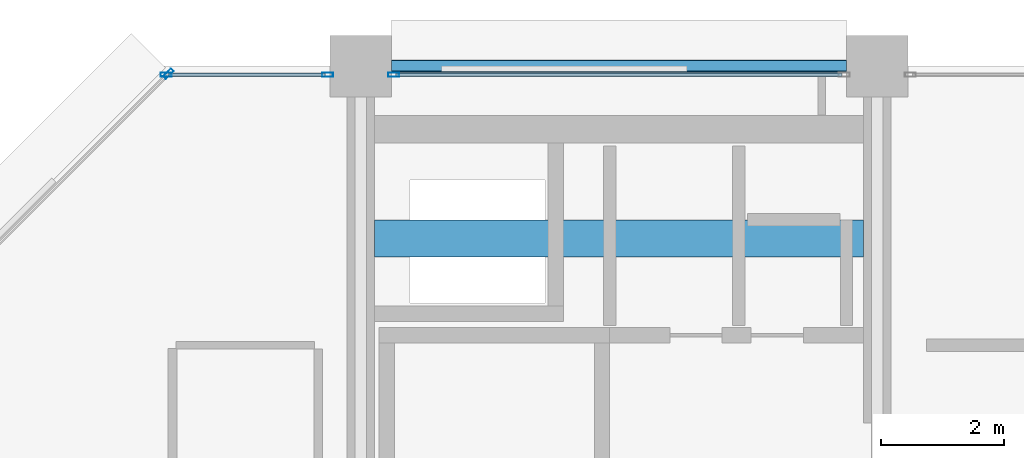
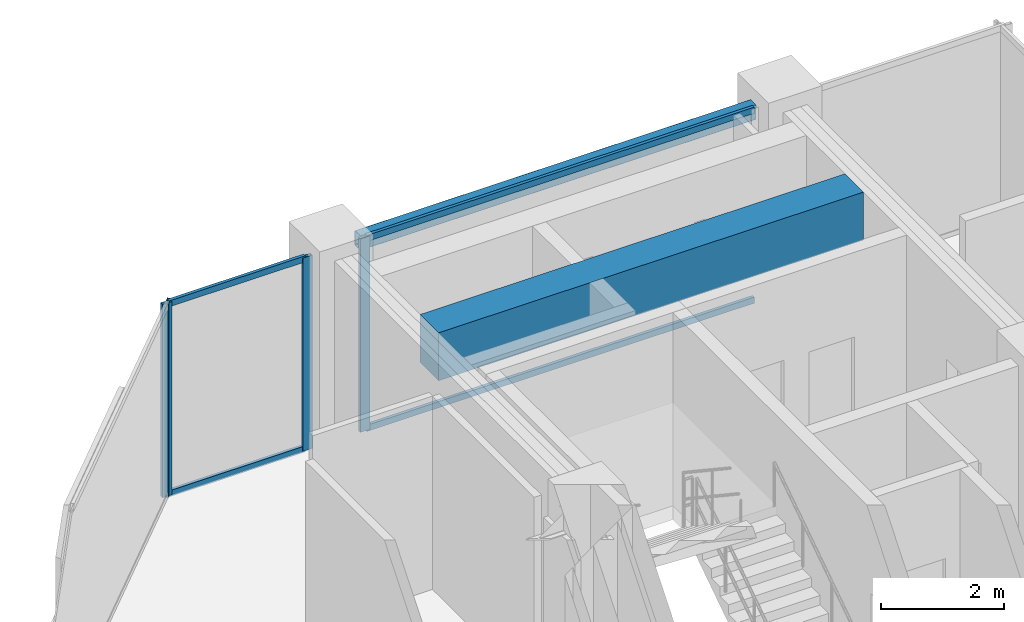
# One storey, part 17 of 26: 8 members, 2 beams, 3 elements without a shape of their own.
"""IFC4 building model written with IfcOpenShell, lengths in metres."""

from ifc_helpers import new_model, si_unit, direction, frame, origin, origin_2d, place, context, subcontext, project, spatial, rectangle, hollow_rectangle, extrude, material, layer, layer_set, material_profile, profile_set, type_object, element, aggregate, save


model = new_model("IFC4")

# Units and contexts
model_context = context("Model", 3, precision=1e-05, world=origin(), true_north=direction((0.0, 1.0)))
body_context = subcontext(model_context, "Body", "Model", "MODEL_VIEW")
ifc_project = project(units=[si_unit("LENGTHUNIT", "METRE"), si_unit("AREAUNIT", "SQUARE_METRE"), si_unit("VOLUMEUNIT", "CUBIC_METRE"), si_unit("PLANEANGLEUNIT", "RADIAN"), si_unit("MASSUNIT", "GRAM", prefix="KILO")], contexts=[model_context])

# Site, building, storey
site_placement = place(None, origin())
site = spatial("IfcSite", under=ifc_project, at=site_placement, CompositionType="ELEMENT")
building_placement = place(site_placement, origin())
building = spatial("IfcBuilding", under=site, at=building_placement, Name="Nerrivon Quay Data Exchange", CompositionType="ELEMENT")
storey_placement = place(building_placement, frame((0.0, 0.0, 228.800048828125)))
storey = spatial("IfcBuildingStorey", under=building, at=storey_placement, Name="L54", CompositionType="ELEMENT", Elevation=228.800048828125)

# Beams
ifc_material_1 = material(Name="Concrete N50 (50 MPa)", Category="concrete")
ifc_material_profile_1 = material_profile(ifc_material_1, rectangle(XDim=0.60009765625, YDim=0.949951171875, at=origin_2d()), Name="RC-CB-600x950")
ifc_profile_set_1 = profile_set([ifc_material_profile_1], Name="Concrete N50 (50 MPa)")
beam_type_1 = type_object("IfcBeamType", Name="BM-CB2-600x950", PredefinedType="LINTEL", material=ifc_profile_set_1)
beam_1_placement = place(storey_placement, frame((8.625, 39.199951171875, 3.349853515625), z_axis=(1.0, 0.0, 0.0), x_axis=(0.0, 1.0, 0.0)))
element("IfcBeam", 1, at=beam_1_placement, inside=storey, type_object=beam_type_1, Name="L54 West Core Coupling Beam", PredefinedType="LINTEL", context=body_context, shape_type="SweptSolid", body=[
    extrude(rectangle(XDim=0.60009765625, YDim=0.949951171875, at=origin_2d()), origin(), (0.0, 0.0, 1.0), 7.949951171875),
])
ifc_material_2 = material(Name="Steel Grade C350L0 (350 MPa)", Category="steel")
ifc_material_profile_2 = material_profile(ifc_material_2, hollow_rectangle(XDim=0.199951171875, YDim=0.300048828125, WallThickness=0.012451171875, InnerFilletRadius=0.018798828125, OuterFilletRadius=0.03125, at=origin_2d()), Name="300x200x12.5RHS")
ifc_profile_set_2 = profile_set([ifc_material_profile_2], Name="Steel Grade C350L0 (350 MPa)")
beam_type_2 = type_object("IfcBeamType", Name="BM-SP3-300x200RHS", PredefinedType="SPANDREL", material=ifc_profile_set_2)
beam_2_placement = place(storey_placement, frame((8.89990234375, 42.0, 3.675048828125), z_axis=(1.0, 0.0, 0.0), x_axis=(0.0, 1.0, 0.0)))
element("IfcBeam", 2, at=beam_2_placement, inside=storey, type_object=beam_type_2, Name="L54 EW Girder Y=42.0 (8.4..16.8)", PredefinedType="SPANDREL", context=body_context, shape_type="SweptSolid", body=[
    extrude(hollow_rectangle(XDim=0.199951171875, YDim=0.300048828125, WallThickness=0.012451171875, InnerFilletRadius=0.018798828125, OuterFilletRadius=0.03125, at=origin_2d()), origin(), (0.0, 0.0, 1.0), 7.400146484375),
])

# Curtain wall, member
ifc_material_3 = material(Name="Anodised aluminium 6063-T6", Category="aluminium")
ifc_layer = layer(ifc_material_3, 0.195068359375)
ifc_layer_set = layer_set([ifc_layer], Name="Anodised aluminium 6063-T6")
curtain_wall_type = type_object("IfcCurtainWallType", Name="CW-SYS-06", PredefinedType="NOTDEFINED", material=ifc_layer_set)
curtain_wall_1_placement = place(storey_placement, origin())
curtain_wall_1 = element("IfcCurtainWall", 3, at=curtain_wall_1_placement, inside=storey, type_object=curtain_wall_type, Name="L54 Unitised Curtain Wall 16", PredefinedType="NOTDEFINED")
ifc_material_profile_3 = material_profile(ifc_material_3, hollow_rectangle(XDim=0.06494140625, YDim=0.179931640625, WallThickness=0.00341796875, at=origin_2d()), Name="ALU-MULL-180x65")
ifc_profile_set_3 = profile_set([ifc_material_profile_3], Name="Anodised aluminium 6063-T6")
member_type_1 = type_object("IfcMemberType", Name="CWM-180x65", PredefinedType="MULLION", material=ifc_profile_set_3)
member_1_placement = place(storey_placement, frame((5.2724609375, 41.87451171875, 0.0), z_axis=(0.0, 0.0, 1.0), x_axis=(-0.707106781187, 0.707106781187, 0.0)))
member_1 = element("IfcMember", 4, at=member_1_placement, type_object=member_type_1, Name="CW06 mullion 2", PredefinedType="MULLION", context=body_context, shape_type="SweptSolid", body=[
    extrude(hollow_rectangle(XDim=0.06494140625, YDim=0.179931640625, WallThickness=0.00341796875, at=origin_2d()), origin(), (0.0, 0.0, 1.0), 3.824951171875),
])
aggregate(curtain_wall_1, [member_1])

# Curtain wall, members
curtain_wall_2_placement = place(storey_placement, origin())
curtain_wall_2 = element("IfcCurtainWall", 5, at=curtain_wall_2_placement, inside=storey, type_object=curtain_wall_type, Name="L54 Unitised Curtain Wall 17", PredefinedType="NOTDEFINED")
member_2_placement = place(storey_placement, frame((5.237548828125, 41.860107421875, 0.0), z_axis=(0.0, 0.0, 1.0), x_axis=(0.0, 1.0, 0.0)))
member_2 = element("IfcMember", 6, at=member_2_placement, type_object=member_type_1, Name="CW06 mullion 1", PredefinedType="MULLION", context=body_context, shape_type="SweptSolid", body=[
    extrude(hollow_rectangle(XDim=0.06494140625, YDim=0.179931640625, WallThickness=0.00341796875, at=origin_2d()), origin(), (0.0, 0.0, 1.0), 3.824951171875),
])
member_3_placement = place(storey_placement, frame((7.862548828125, 41.860107421875, 0.0), z_axis=(0.0, 0.0, 1.0), x_axis=(0.0, 1.0, 0.0)))
member_3 = element("IfcMember", 7, at=member_3_placement, type_object=member_type_1, Name="CW06 mullion 2", PredefinedType="MULLION", context=body_context, shape_type="SweptSolid", body=[
    extrude(hollow_rectangle(XDim=0.06494140625, YDim=0.179931640625, WallThickness=0.00341796875, at=origin_2d()), origin(), (0.0, 0.0, 1.0), 3.824951171875),
])

# Curtain wall, member
curtain_wall_3_placement = place(storey_placement, origin())
curtain_wall_3 = element("IfcCurtainWall", 8, at=curtain_wall_3_placement, inside=storey, type_object=curtain_wall_type, Name="L54 Unitised Curtain Wall 18", PredefinedType="NOTDEFINED")
member_4_placement = place(storey_placement, frame((8.9375, 41.860107421875, 0.0), z_axis=(0.0, 0.0, 1.0), x_axis=(0.0, 1.0, 0.0)))
member_4 = element("IfcMember", 9, at=member_4_placement, type_object=member_type_1, Name="CW06 mullion 1", PredefinedType="MULLION", context=body_context, shape_type="SweptSolid", body=[
    extrude(hollow_rectangle(XDim=0.06494140625, YDim=0.179931640625, WallThickness=0.00341796875, at=origin_2d()), origin(), (0.0, 0.0, 1.0), 3.824951171875),
])

# Member
ifc_material_profile_4 = material_profile(ifc_material_3, hollow_rectangle(XDim=0.06005859375, YDim=0.1201171875, WallThickness=0.003173828125, at=origin_2d()), Name="ALU-TRAN-120x60")
ifc_profile_set_4 = profile_set([ifc_material_profile_4], Name="Anodised aluminium 6063-T6")
member_type_2 = type_object("IfcMemberType", Name="CWT-120x60", PredefinedType="USERDEFINED", material=ifc_profile_set_4)
member_5_placement = place(storey_placement, frame((5.27490234375, 41.860107421875, 0.032470703125), z_axis=(1.0, 0.0, 0.0), x_axis=(0.0, 1.0, 0.0)))
member_5 = element("IfcMember", 10, at=member_5_placement, type_object=member_type_2, Name="CW06 transom 1.1", ObjectType="TRANSOM", PredefinedType="USERDEFINED", context=body_context, shape_type="SweptSolid", body=[
    extrude(hollow_rectangle(XDim=0.06005859375, YDim=0.1201171875, WallThickness=0.003173828125, at=origin_2d()), origin(), (0.0, 0.0, 1.0), 2.550048828125),
])

member_6_placement = place(storey_placement, frame((5.27490234375, 41.860107421875, 3.79248046875), z_axis=(1.0, 0.0, 0.0), x_axis=(0.0, 1.0, 0.0)))
member_6 = element("IfcMember", 11, at=member_6_placement, type_object=member_type_2, Name="CW06 transom 1.2", ObjectType="TRANSOM", PredefinedType="USERDEFINED", context=body_context, shape_type="SweptSolid", body=[
    extrude(hollow_rectangle(XDim=0.06005859375, YDim=0.1201171875, WallThickness=0.003173828125, at=origin_2d()), origin(), (0.0, 0.0, 1.0), 2.550048828125),
])

aggregate(curtain_wall_2, [member_2, member_3, member_5, member_6])

member_7_placement = place(storey_placement, frame((8.97509765625, 41.860107421875, 0.032470703125), z_axis=(1.0, 0.0, 0.0), x_axis=(0.0, 1.0, 0.0)))
member_7 = element("IfcMember", 12, at=member_7_placement, type_object=member_type_2, Name="CW06 transom 1.1", ObjectType="TRANSOM", PredefinedType="USERDEFINED", context=body_context, shape_type="SweptSolid", body=[
    extrude(hollow_rectangle(XDim=0.06005859375, YDim=0.1201171875, WallThickness=0.003173828125, at=origin_2d()), origin(), (0.0, 0.0, 1.0), 7.25),
])

member_8_placement = place(storey_placement, frame((8.97509765625, 41.860107421875, 3.79248046875), z_axis=(1.0, 0.0, 0.0), x_axis=(0.0, 1.0, 0.0)))
member_8 = element("IfcMember", 13, at=member_8_placement, type_object=member_type_2, Name="CW06 transom 1.2", ObjectType="TRANSOM", PredefinedType="USERDEFINED", context=body_context, shape_type="SweptSolid", body=[
    extrude(hollow_rectangle(XDim=0.06005859375, YDim=0.1201171875, WallThickness=0.003173828125, at=origin_2d()), origin(), (0.0, 0.0, 1.0), 7.25),
])

aggregate(curtain_wall_3, [member_4, member_7, member_8])

save(model, "model.ifc")
